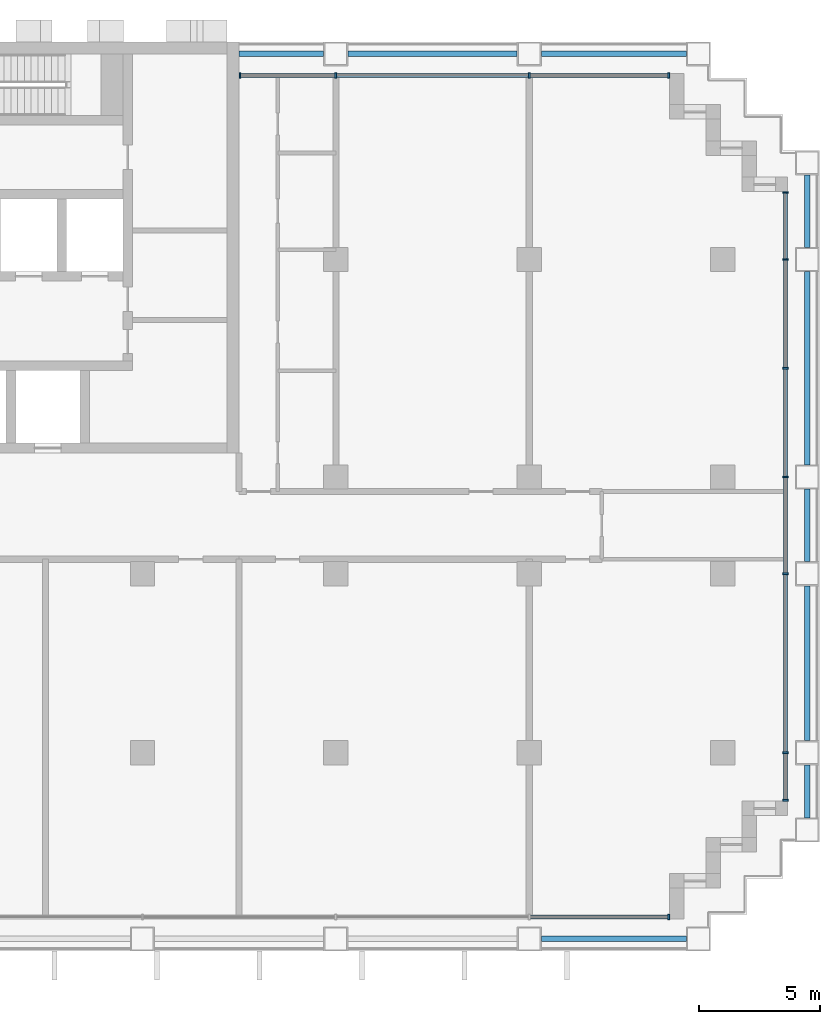
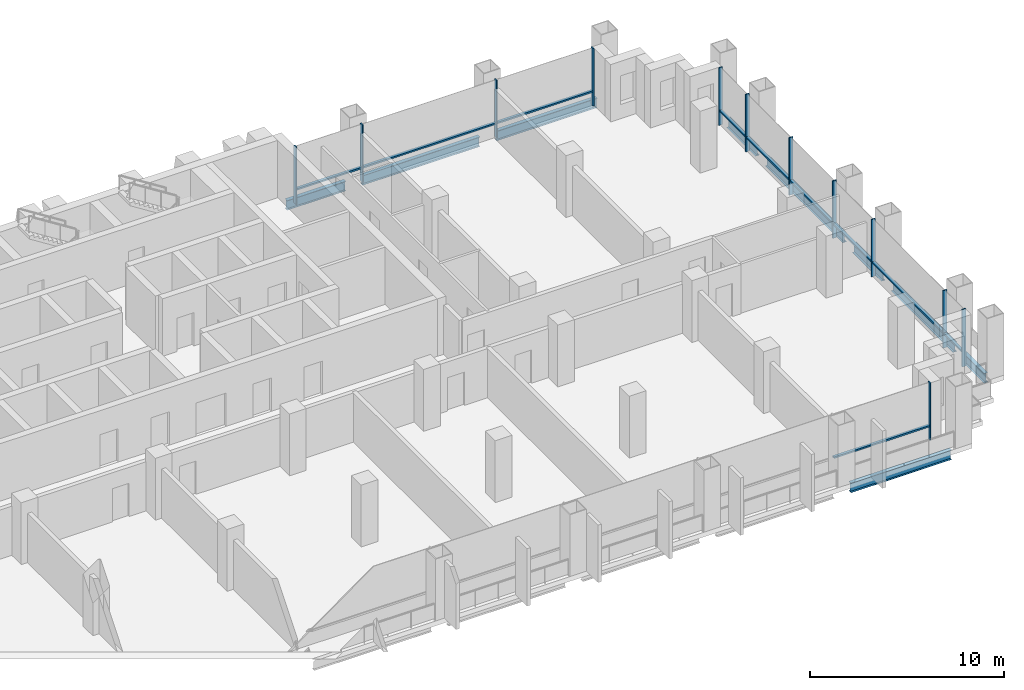
# One storey, part 5 of 13: 22 members, 9 beams, 3 elements without a shape of their own.
"""IFC4 building model written with IfcOpenShell, lengths in metres."""

from ifc_helpers import new_model, si_unit, direction, frame, origin, origin_2d, place, context, subcontext, project, spatial, rectangle, i_section, extrude, material, material_profile, profile_set, type_object, element, aggregate, save


model = new_model("IFC4")

# Units and contexts
model_context = context("Model", 3, precision=1e-05, world=origin(), true_north=direction((0.0, 1.0)))
body_context = subcontext(model_context, "Body", "Model", "MODEL_VIEW")
ifc_project = project(units=[si_unit("LENGTHUNIT", "METRE"), si_unit("AREAUNIT", "SQUARE_METRE"), si_unit("VOLUMEUNIT", "CUBIC_METRE"), si_unit("PLANEANGLEUNIT", "RADIAN"), si_unit("MASSUNIT", "GRAM", prefix="KILO")], contexts=[model_context])

# Site, building, storey
site_placement = place(None, origin())
site = spatial("IfcSite", under=ifc_project, at=site_placement, CompositionType="ELEMENT")
building_placement = place(site_placement, origin())
building = spatial("IfcBuilding", under=site, at=building_placement, Name="Vidyagriha Tower", CompositionType="ELEMENT")
storey_placement = place(building_placement, frame((0.0, 0.0, 37.699951171875)))
storey = spatial("IfcBuildingStorey", under=building, at=storey_placement, Name="L09", CompositionType="ELEMENT", Elevation=37.699951171875)

# Beams
ifc_material_1 = material(Name="Steel ASTM A992 Grade 50", Category="steel")
ifc_material_profile_1 = material_profile(ifc_material_1, i_section(OverallWidth=0.228271484375, OverallDepth=0.607177734375, WebThickness=0.01123046875, FlangeThickness=0.017333984375, at=origin_2d()), Name="W24X76")
ifc_profile_set_1 = profile_set([ifc_material_profile_1], Name="Steel ASTM A992 Grade 50")
beam_type = type_object("IfcBeamType", Name="Edge beam W24X76", PredefinedType="SPANDREL", material=ifc_profile_set_1)
beam_1_placement = place(storey_placement, frame((26.5, -17.10009765625, -0.603515625), z_axis=(1.0, 0.0, 0.0), x_axis=(0.0, 1.0, 0.0)))
element("IfcBeam", 1, at=beam_1_placement, inside=storey, type_object=beam_type, Name="st-beam-L09-S09", PredefinedType="SPANDREL", context=body_context, shape_type="SweptSolid", body=[
    extrude(i_section(OverallWidth=0.228271484375, OverallDepth=0.607177734375, WebThickness=0.01123046875, FlangeThickness=0.017333984375, at=origin_2d()), origin(), (0.0, 0.0, 1.0), 6.0),
])
beam_2_placement = place(storey_placement, frame((37.5, -12.10009765625, -0.603515625), z_axis=(0.0, 1.0, 0.0), x_axis=(-1.0, 0.0, 0.0)))
element("IfcBeam", 2, at=beam_2_placement, inside=storey, type_object=beam_type, Name="st-beam-L09-E15", PredefinedType="SPANDREL", context=body_context, shape_type="SweptSolid", body=[
    extrude(i_section(OverallWidth=0.228271484375, OverallDepth=0.607177734375, WebThickness=0.01123046875, FlangeThickness=0.017333984375, at=origin_2d()), origin(), (0.0, 0.0, 1.0), 2.2001953125),
])
beam_3_placement = place(storey_placement, frame((37.5, -8.89990234375, -0.603515625), z_axis=(0.0, 1.0, 0.0), x_axis=(-1.0, 0.0, 0.0)))
element("IfcBeam", 3, at=beam_3_placement, inside=storey, type_object=beam_type, Name="st-beam-L09-E16", PredefinedType="SPANDREL", context=body_context, shape_type="SweptSolid", body=[
    extrude(i_section(OverallWidth=0.228271484375, OverallDepth=0.607177734375, WebThickness=0.01123046875, FlangeThickness=0.017333984375, at=origin_2d()), origin(), (0.0, 0.0, 1.0), 6.39990234375),
])
beam_4_placement = place(storey_placement, frame((37.5, -1.5, -0.603515625), z_axis=(0.0, 1.0, 0.0), x_axis=(-1.0, 0.0, 0.0)))
element("IfcBeam", 4, at=beam_4_placement, inside=storey, type_object=beam_type, Name="st-beam-L09-E17", PredefinedType="SPANDREL", context=body_context, shape_type="SweptSolid", body=[
    extrude(i_section(OverallWidth=0.228271484375, OverallDepth=0.607177734375, WebThickness=0.01123046875, FlangeThickness=0.017333984375, at=origin_2d()), origin(), (0.0, 0.0, 1.0), 3.0),
])
beam_5_placement = place(storey_placement, frame((37.5, 2.5, -0.603515625), z_axis=(0.0, 1.0, 0.0), x_axis=(-1.0, 0.0, 0.0)))
element("IfcBeam", 5, at=beam_5_placement, inside=storey, type_object=beam_type, Name="st-beam-L09-E18", PredefinedType="SPANDREL", context=body_context, shape_type="SweptSolid", body=[
    extrude(i_section(OverallWidth=0.228271484375, OverallDepth=0.607177734375, WebThickness=0.01123046875, FlangeThickness=0.017333984375, at=origin_2d()), origin(), (0.0, 0.0, 1.0), 8.0),
])
beam_6_placement = place(storey_placement, frame((37.5, 11.5, -0.603515625), z_axis=(0.0, 1.0, 0.0), x_axis=(-1.0, 0.0, 0.0)))
element("IfcBeam", 6, at=beam_6_placement, inside=storey, type_object=beam_type, Name="st-beam-L09-E19", PredefinedType="SPANDREL", context=body_context, shape_type="SweptSolid", body=[
    extrude(i_section(OverallWidth=0.228271484375, OverallDepth=0.607177734375, WebThickness=0.01123046875, FlangeThickness=0.017333984375, at=origin_2d()), origin(), (0.0, 0.0, 1.0), 3.0),
])
beam_7_placement = place(storey_placement, frame((18.5, 19.5, -0.603515625), z_axis=(1.0, 0.0, 0.0), x_axis=(0.0, 1.0, 0.0)))
element("IfcBeam", 7, at=beam_7_placement, inside=storey, type_object=beam_type, Name="st-beam-L09-NE22", PredefinedType="SPANDREL", context=body_context, shape_type="SweptSolid", body=[
    extrude(i_section(OverallWidth=0.228271484375, OverallDepth=0.607177734375, WebThickness=0.01123046875, FlangeThickness=0.017333984375, at=origin_2d()), origin(), (0.0, 0.0, 1.0), 7.0),
])
beam_8_placement = place(storey_placement, frame((26.5, 19.5, -0.603515625), z_axis=(1.0, 0.0, 0.0), x_axis=(0.0, 1.0, 0.0)))
element("IfcBeam", 8, at=beam_8_placement, inside=storey, type_object=beam_type, Name="st-beam-L09-NE23", PredefinedType="SPANDREL", context=body_context, shape_type="SweptSolid", body=[
    extrude(i_section(OverallWidth=0.228271484375, OverallDepth=0.607177734375, WebThickness=0.01123046875, FlangeThickness=0.017333984375, at=origin_2d()), origin(), (0.0, 0.0, 1.0), 6.0),
])
beam_9_placement = place(storey_placement, frame((14.0, 19.5, -0.603515625), z_axis=(1.0, 0.0, 0.0), x_axis=(0.0, 1.0, 0.0)))
element("IfcBeam", 9, at=beam_9_placement, inside=storey, type_object=beam_type, Name="st-beam-L09-NC25", PredefinedType="SPANDREL", context=body_context, shape_type="SweptSolid", body=[
    extrude(i_section(OverallWidth=0.228271484375, OverallDepth=0.607177734375, WebThickness=0.01123046875, FlangeThickness=0.017333984375, at=origin_2d()), origin(), (0.0, 0.0, 1.0), 3.5),
])

# Curtain wall, members
ifc_material_2 = material(Name="Aluminium and glass curtain wall", Category="aluminium")
curtain_wall_type = type_object("IfcCurtainWallType", Name="Classroom skin unitised curtain wall", PredefinedType="USERDEFINED", material=ifc_material_2)
curtain_wall_1_placement = place(storey_placement, origin())
curtain_wall_1 = element("IfcCurtainWall", 10, at=curtain_wall_1_placement, inside=storey, type_object=curtain_wall_type, Name="CW2 classroom skin", ObjectType="UNITISED", PredefinedType="USERDEFINED")
ifc_material_3 = material(Name="Aluminium black anodised", Category="aluminium")
ifc_material_profile_2 = material_profile(ifc_material_3, rectangle(XDim=0.219970703125, YDim=0.070068359375, at=origin_2d()), Name="Mullion 70x220 black aluminium")
ifc_profile_set_2 = profile_set([ifc_material_profile_2], Name="Aluminium black anodised")
member_type_1 = type_object("IfcMemberType", Name="Mullion 70x220 black aluminium", PredefinedType="MULLION", material=ifc_profile_set_2)
member_1_placement = place(storey_placement, frame((31.764892578125, 18.60009765625, 0.0), z_axis=(0.0, 0.0, 1.0), x_axis=(0.0, -1.0, 0.0)))
member_1 = element("IfcMember", 11, at=member_1_placement, type_object=member_type_1, Name="CW2 mullion 1", PredefinedType="MULLION", context=body_context, shape_type="SweptSolid", body=[
    extrude(rectangle(XDim=0.219970703125, YDim=0.070068359375, at=origin_2d()), origin(), (0.0, 0.0, 1.0), 3.6201171875),
])
member_2_placement = place(storey_placement, frame((26.0, 18.60009765625, 0.0), z_axis=(0.0, 0.0, 1.0), x_axis=(0.0, -1.0, 0.0)))
member_2 = element("IfcMember", 12, at=member_2_placement, type_object=member_type_1, Name="CW2 mullion 2", PredefinedType="MULLION", context=body_context, shape_type="SweptSolid", body=[
    extrude(rectangle(XDim=0.219970703125, YDim=0.070068359375, at=origin_2d()), origin(), (0.0, 0.0, 1.0), 3.6201171875),
])
member_3_placement = place(storey_placement, frame((18.0, 18.60009765625, 0.0), z_axis=(0.0, 0.0, 1.0), x_axis=(0.0, -1.0, 0.0)))
member_3 = element("IfcMember", 13, at=member_3_placement, type_object=member_type_1, Name="CW2 mullion 3", PredefinedType="MULLION", context=body_context, shape_type="SweptSolid", body=[
    extrude(rectangle(XDim=0.219970703125, YDim=0.070068359375, at=origin_2d()), origin(), (0.0, 0.0, 1.0), 3.6201171875),
])
member_4_placement = place(storey_placement, frame((14.034912109375, 18.60009765625, 0.0), z_axis=(0.0, 0.0, 1.0), x_axis=(0.0, -1.0, 0.0)))
member_4 = element("IfcMember", 14, at=member_4_placement, type_object=member_type_1, Name="CW2 mullion 4", PredefinedType="MULLION", context=body_context, shape_type="SweptSolid", body=[
    extrude(rectangle(XDim=0.219970703125, YDim=0.070068359375, at=origin_2d()), origin(), (0.0, 0.0, 1.0), 3.6201171875),
])

# Curtain wall, member
curtain_wall_2_placement = place(storey_placement, origin())
curtain_wall_2 = element("IfcCurtainWall", 15, at=curtain_wall_2_placement, inside=storey, type_object=curtain_wall_type, Name="CW2 classroom skin", ObjectType="UNITISED", PredefinedType="USERDEFINED")
member_5_placement = place(storey_placement, frame((31.764892578125, -16.199951171875, 0.0), z_axis=(0.0, 0.0, 1.0), x_axis=(0.0, 1.0, 0.0)))
member_5 = element("IfcMember", 16, at=member_5_placement, type_object=member_type_1, Name="CW2 mullion 10", PredefinedType="MULLION", context=body_context, shape_type="SweptSolid", body=[
    extrude(rectangle(XDim=0.219970703125, YDim=0.070068359375, at=origin_2d()), origin(), (0.0, 0.0, 1.0), 3.6201171875),
])

# Curtain wall, members
curtain_wall_3_placement = place(storey_placement, origin())
curtain_wall_3 = element("IfcCurtainWall", 17, at=curtain_wall_3_placement, inside=storey, type_object=curtain_wall_type, Name="CW2 classroom skin", ObjectType="UNITISED", PredefinedType="USERDEFINED")
member_6_placement = place(storey_placement, frame((36.60009765625, -11.364990234375, 0.0), z_axis=(0.0, 0.0, 1.0), x_axis=(-1.0, 0.0, 0.0)))
member_6 = element("IfcMember", 18, at=member_6_placement, type_object=member_type_1, Name="CW2 mullion 1", PredefinedType="MULLION", context=body_context, shape_type="SweptSolid", body=[
    extrude(rectangle(XDim=0.219970703125, YDim=0.070068359375, at=origin_2d()), origin(), (0.0, 0.0, 1.0), 3.6201171875),
])
member_7_placement = place(storey_placement, frame((36.60009765625, -9.39990234375, 0.0), z_axis=(0.0, 0.0, 1.0), x_axis=(-1.0, 0.0, 0.0)))
member_7 = element("IfcMember", 19, at=member_7_placement, type_object=member_type_1, Name="CW2 mullion 2", PredefinedType="MULLION", context=body_context, shape_type="SweptSolid", body=[
    extrude(rectangle(XDim=0.219970703125, YDim=0.070068359375, at=origin_2d()), origin(), (0.0, 0.0, 1.0), 3.6201171875),
])
member_8_placement = place(storey_placement, frame((36.60009765625, -2.0, 0.0), z_axis=(0.0, 0.0, 1.0), x_axis=(-1.0, 0.0, 0.0)))
member_8 = element("IfcMember", 20, at=member_8_placement, type_object=member_type_1, Name="CW2 mullion 3", PredefinedType="MULLION", context=body_context, shape_type="SweptSolid", body=[
    extrude(rectangle(XDim=0.219970703125, YDim=0.070068359375, at=origin_2d()), origin(), (0.0, 0.0, 1.0), 3.6201171875),
])
member_9_placement = place(storey_placement, frame((36.60009765625, 2.0, 0.0), z_axis=(0.0, 0.0, 1.0), x_axis=(-1.0, 0.0, 0.0)))
member_9 = element("IfcMember", 21, at=member_9_placement, type_object=member_type_1, Name="CW2 mullion 4", PredefinedType="MULLION", context=body_context, shape_type="SweptSolid", body=[
    extrude(rectangle(XDim=0.219970703125, YDim=0.070068359375, at=origin_2d()), origin(), (0.0, 0.0, 1.0), 3.6201171875),
])
member_10_placement = place(storey_placement, frame((36.60009765625, 6.5, 0.0), z_axis=(0.0, 0.0, 1.0), x_axis=(-1.0, 0.0, 0.0)))
member_10 = element("IfcMember", 22, at=member_10_placement, type_object=member_type_1, Name="CW2 mullion 5", PredefinedType="MULLION", context=body_context, shape_type="SweptSolid", body=[
    extrude(rectangle(XDim=0.219970703125, YDim=0.070068359375, at=origin_2d()), origin(), (0.0, 0.0, 1.0), 3.6201171875),
])
member_11_placement = place(storey_placement, frame((36.60009765625, 11.0, 0.0), z_axis=(0.0, 0.0, 1.0), x_axis=(-1.0, 0.0, 0.0)))
member_11 = element("IfcMember", 23, at=member_11_placement, type_object=member_type_1, Name="CW2 mullion 6", PredefinedType="MULLION", context=body_context, shape_type="SweptSolid", body=[
    extrude(rectangle(XDim=0.219970703125, YDim=0.070068359375, at=origin_2d()), origin(), (0.0, 0.0, 1.0), 3.6201171875),
])
member_12_placement = place(storey_placement, frame((36.60009765625, 13.764892578125, 0.0), z_axis=(0.0, 0.0, 1.0), x_axis=(-1.0, 0.0, 0.0)))
member_12 = element("IfcMember", 24, at=member_12_placement, type_object=member_type_1, Name="CW2 mullion 7", PredefinedType="MULLION", context=body_context, shape_type="SweptSolid", body=[
    extrude(rectangle(XDim=0.219970703125, YDim=0.070068359375, at=origin_2d()), origin(), (0.0, 0.0, 1.0), 3.6201171875),
])

# Member
ifc_material_4 = material(Name="Aluminium black anodised", Category="aluminium")
ifc_material_profile_3 = material_profile(ifc_material_4, rectangle(XDim=0.159912109375, YDim=0.10009765625, at=origin_2d()), Name="Transom 100x160 black aluminium")
ifc_profile_set_3 = profile_set([ifc_material_profile_3], Name="Aluminium black anodised")
member_type_2 = type_object("IfcMemberType", Name="Transom 100x160 black aluminium", PredefinedType="USERDEFINED", material=ifc_profile_set_3)
member_13_placement = place(storey_placement, frame((31.72998046875, 18.60009765625, 0.900146484375), z_axis=(-1.0, 0.0, 0.0), x_axis=(0.0, -1.0, 0.0)))
member_13 = element("IfcMember", 25, at=member_13_placement, type_object=member_type_2, Name="CW2 transom 1.1", ObjectType="TRANSOM", PredefinedType="USERDEFINED", context=body_context, shape_type="SweptSolid", body=[
    extrude(rectangle(XDim=0.159912109375, YDim=0.10009765625, at=origin_2d()), origin(), (0.0, 0.0, 1.0), 5.695068359375),
])

member_14_placement = place(storey_placement, frame((25.965087890625, 18.60009765625, 0.900146484375), z_axis=(-1.0, 0.0, 0.0), x_axis=(0.0, -1.0, 0.0)))
member_14 = element("IfcMember", 26, at=member_14_placement, type_object=member_type_2, Name="CW2 transom 2.1", ObjectType="TRANSOM", PredefinedType="USERDEFINED", context=body_context, shape_type="SweptSolid", body=[
    extrude(rectangle(XDim=0.159912109375, YDim=0.10009765625, at=origin_2d()), origin(), (0.0, 0.0, 1.0), 7.93017578125),
])

member_15_placement = place(storey_placement, frame((17.965087890625, 18.60009765625, 0.900146484375), z_axis=(-1.0, 0.0, 0.0), x_axis=(0.0, -1.0, 0.0)))
member_15 = element("IfcMember", 27, at=member_15_placement, type_object=member_type_2, Name="CW2 transom 3.1", ObjectType="TRANSOM", PredefinedType="USERDEFINED", context=body_context, shape_type="SweptSolid", body=[
    extrude(rectangle(XDim=0.159912109375, YDim=0.10009765625, at=origin_2d()), origin(), (0.0, 0.0, 1.0), 3.89501953125),
])

aggregate(curtain_wall_1, [member_1, member_2, member_3, member_4, member_13, member_14, member_15])

member_16_placement = place(storey_placement, frame((26.034912109375, -16.199951171875, 0.900146484375), z_axis=(1.0, 0.0, 0.0), x_axis=(0.0, 1.0, 0.0)))
member_16 = element("IfcMember", 28, at=member_16_placement, type_object=member_type_2, Name="CW2 transom 9.1", ObjectType="TRANSOM", PredefinedType="USERDEFINED", context=body_context, shape_type="SweptSolid", body=[
    extrude(rectangle(XDim=0.159912109375, YDim=0.10009765625, at=origin_2d()), origin(), (0.0, 0.0, 1.0), 5.695068359375),
])

aggregate(curtain_wall_2, [member_5, member_16])

member_17_placement = place(storey_placement, frame((36.60009765625, -11.330078125, 0.900146484375), z_axis=(0.0, 1.0, 0.0), x_axis=(-1.0, 0.0, 0.0)))
member_17 = element("IfcMember", 29, at=member_17_placement, type_object=member_type_2, Name="CW2 transom 1.1", ObjectType="TRANSOM", PredefinedType="USERDEFINED", context=body_context, shape_type="SweptSolid", body=[
    extrude(rectangle(XDim=0.159912109375, YDim=0.10009765625, at=origin_2d()), origin(), (0.0, 0.0, 1.0), 1.89501953125),
])

member_18_placement = place(storey_placement, frame((36.60009765625, -9.364990234375, 0.900146484375), z_axis=(0.0, 1.0, 0.0), x_axis=(-1.0, 0.0, 0.0)))
member_18 = element("IfcMember", 30, at=member_18_placement, type_object=member_type_2, Name="CW2 transom 2.1", ObjectType="TRANSOM", PredefinedType="USERDEFINED", context=body_context, shape_type="SweptSolid", body=[
    extrude(rectangle(XDim=0.159912109375, YDim=0.10009765625, at=origin_2d()), origin(), (0.0, 0.0, 1.0), 7.330078125),
])

member_19_placement = place(storey_placement, frame((36.60009765625, -1.965087890625, 0.900146484375), z_axis=(0.0, 1.0, 0.0), x_axis=(-1.0, 0.0, 0.0)))
member_19 = element("IfcMember", 31, at=member_19_placement, type_object=member_type_2, Name="CW2 transom 3.1", ObjectType="TRANSOM", PredefinedType="USERDEFINED", context=body_context, shape_type="SweptSolid", body=[
    extrude(rectangle(XDim=0.159912109375, YDim=0.10009765625, at=origin_2d()), origin(), (0.0, 0.0, 1.0), 3.93017578125),
])

member_20_placement = place(storey_placement, frame((36.60009765625, 2.034912109375, 0.900146484375), z_axis=(0.0, 1.0, 0.0), x_axis=(-1.0, 0.0, 0.0)))
member_20 = element("IfcMember", 32, at=member_20_placement, type_object=member_type_2, Name="CW2 transom 4.1", ObjectType="TRANSOM", PredefinedType="USERDEFINED", context=body_context, shape_type="SweptSolid", body=[
    extrude(rectangle(XDim=0.159912109375, YDim=0.10009765625, at=origin_2d()), origin(), (0.0, 0.0, 1.0), 4.43017578125),
])

member_21_placement = place(storey_placement, frame((36.60009765625, 6.534912109375, 0.900146484375), z_axis=(0.0, 1.0, 0.0), x_axis=(-1.0, 0.0, 0.0)))
member_21 = element("IfcMember", 33, at=member_21_placement, type_object=member_type_2, Name="CW2 transom 5.1", ObjectType="TRANSOM", PredefinedType="USERDEFINED", context=body_context, shape_type="SweptSolid", body=[
    extrude(rectangle(XDim=0.159912109375, YDim=0.10009765625, at=origin_2d()), origin(), (0.0, 0.0, 1.0), 4.43017578125),
])

member_22_placement = place(storey_placement, frame((36.60009765625, 11.034912109375, 0.900146484375), z_axis=(0.0, 1.0, 0.0), x_axis=(-1.0, 0.0, 0.0)))
member_22 = element("IfcMember", 34, at=member_22_placement, type_object=member_type_2, Name="CW2 transom 6.1", ObjectType="TRANSOM", PredefinedType="USERDEFINED", context=body_context, shape_type="SweptSolid", body=[
    extrude(rectangle(XDim=0.159912109375, YDim=0.10009765625, at=origin_2d()), origin(), (0.0, 0.0, 1.0), 2.695068359375),
])

aggregate(curtain_wall_3, [member_6, member_7, member_8, member_9, member_10, member_11, member_12, member_17, member_18, member_19, member_20, member_21, member_22])

save(model, "model.ifc")
